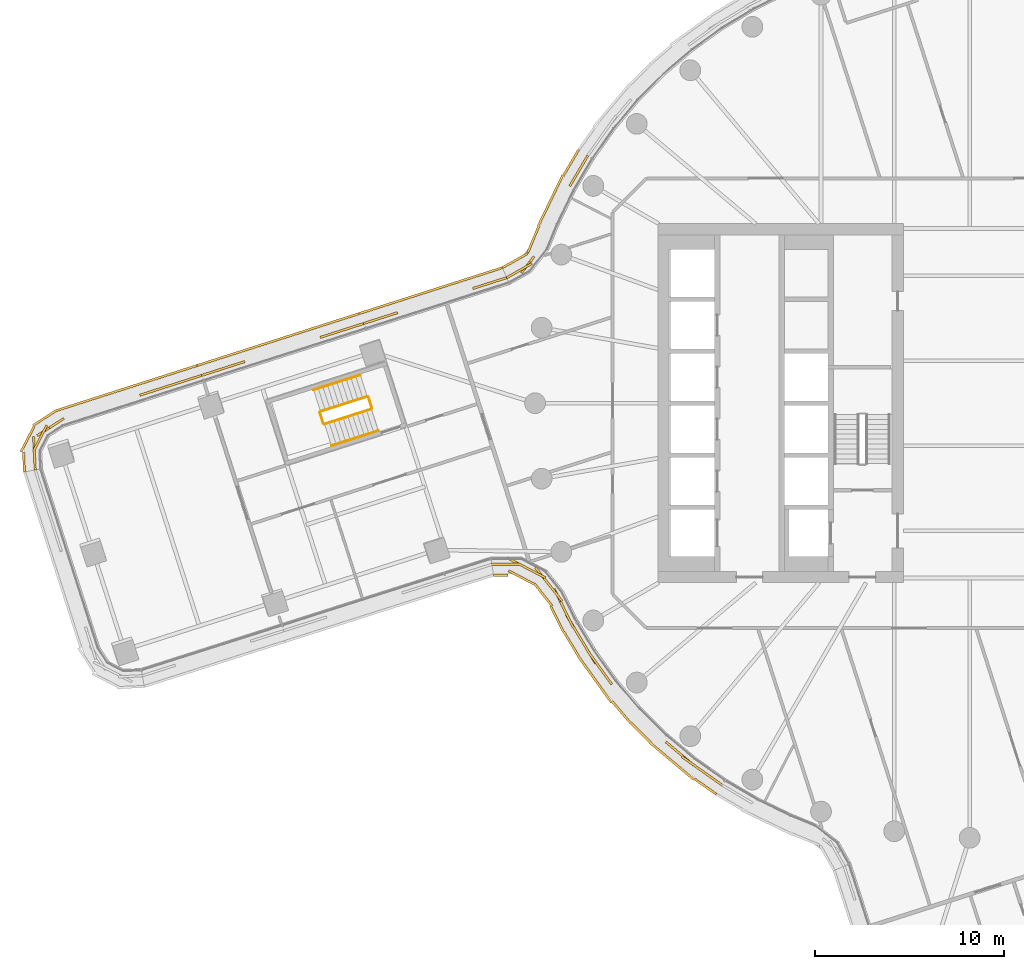
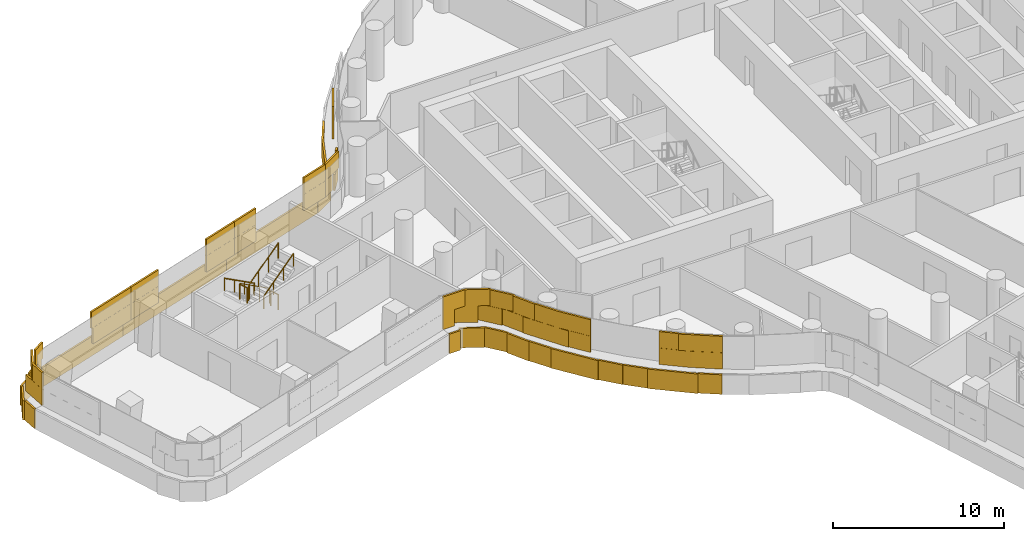
# One storey, part 26 of 30: 6 railings, 5 coverings.
"""IFC4 building model written with IfcOpenShell, lengths in metres."""

from ifc_helpers import new_model, si_unit, direction, frame, origin, origin_2d, place, context, subcontext, project, spatial, rectangle, circle, extrude, material, layer, layer_set, type_object, element, save


model = new_model("IFC4")

# Units and contexts
model_context = context("Model", 3, precision=1e-05, world=origin(), true_north=direction((0.0, 1.0)))
body_context = subcontext(model_context, "Body", "Model", "MODEL_VIEW")
ifc_project = project(units=[si_unit("LENGTHUNIT", "METRE"), si_unit("AREAUNIT", "SQUARE_METRE"), si_unit("VOLUMEUNIT", "CUBIC_METRE"), si_unit("PLANEANGLEUNIT", "RADIAN"), si_unit("MASSUNIT", "GRAM", prefix="KILO")], contexts=[model_context])

# Site, building, storey
site_placement = place(None, origin())
site = spatial("IfcSite", under=ifc_project, at=site_placement, CompositionType="ELEMENT")
building_placement = place(site_placement, origin())
building = spatial("IfcBuilding", under=site, at=building_placement, Name="Tamarind Cross Interchange Tower", CompositionType="ELEMENT")
storey_placement = place(building_placement, frame((0.0, 0.0, 98.5)))
storey = spatial("IfcBuildingStorey", under=building, at=storey_placement, Name="L23", CompositionType="ELEMENT", Elevation=98.5)

# Railings
ifc_material_1 = material(Name="Stair guard")
railing_type_1 = type_object("IfcRailingType", Name="Stair guard", PredefinedType="GUARDRAIL", material=ifc_material_1)
railing_1_placement = place(storey_placement, frame((-31.878662109375, 0.353271484375, 0.17041015625)))
element("IfcRailing", 1, at=railing_1_placement, inside=storey, type_object=railing_type_1, Name="L23 ST5 stair guard 1", PredefinedType="GUARDRAIL", context=body_context, shape_type="SweptSolid", body=[
    extrude(circle(Radius=0.02392578125, at=origin_2d()), frame((0.0, 0.0, 1.076171875), z_axis=(-0.796426546061, -0.255136052864, 0.548279446322), x_axis=(0.305078942459, -0.952327065072, 0.0)), (0.0, 0.0, 1.0), 3.10888671875),
    extrude(circle(Radius=0.02099609375, at=origin_2d()), origin(), (0.0, 0.0, 1.0), 1.052001953125),
    extrude(circle(Radius=0.02099609375, at=origin_2d()), frame((-0.825439453125, -0.264404296875, 0.568115234375)), (0.0, 0.0, 1.0), 1.052001953125),
    extrude(circle(Radius=0.02099609375, at=origin_2d()), frame((-1.650634765625, -0.52880859375, 1.136474609375)), (0.0, 0.0, 1.0), 1.052001953125),
    extrude(circle(Radius=0.02099609375, at=origin_2d()), frame((-2.47607421875, -0.793212890625, 1.70458984375)), (0.0, 0.0, 1.0), 1.052001953125),
])
railing_2_placement = place(storey_placement, frame((-34.386962890625, -0.502685546875, 1.875)))
element("IfcRailing", 2, at=railing_2_placement, inside=storey, type_object=railing_type_1, Name="L23 ST5 stair guard 2", PredefinedType="GUARDRAIL", context=body_context, shape_type="SweptSolid", body=[
    extrude(circle(Radius=0.02392578125, at=origin_2d()), frame((0.0, 0.0, 1.076171875), z_axis=(0.304731439649, -0.95243831805, 0.0), x_axis=(0.95243831805, 0.304731439649, 0.0)), (0.0, 0.0, 1.0), 0.60009765625),
    extrude(circle(Radius=0.02099609375, at=origin_2d()), origin(), (0.0, 0.0, 1.0), 1.052001953125),
    extrude(circle(Radius=0.02099609375, at=origin_2d()), frame((0.182861328125, -0.571533203125, 0.0)), (0.0, 0.0, 1.0), 1.052001953125),
])
railing_3_placement = place(storey_placement, frame((-34.14111328125, -1.1064453125, 2.04541015625)))
element("IfcRailing", 3, at=railing_3_placement, inside=storey, type_object=railing_type_1, Name="L23 ST5 stair guard 3", PredefinedType="GUARDRAIL", context=body_context, shape_type="SweptSolid", body=[
    extrude(circle(Radius=0.02392578125, at=origin_2d()), frame((0.0, 0.0, 1.076171875), z_axis=(0.796426546061, 0.255136052864, 0.548279446322), x_axis=(-0.305078942459, 0.952327065072, 0.0)), (0.0, 0.0, 1.0), 3.10888671875),
    extrude(circle(Radius=0.02099609375, at=origin_2d()), origin(), (0.0, 0.0, 1.0), 1.052001953125),
    extrude(circle(Radius=0.02099609375, at=origin_2d()), frame((0.825439453125, 0.264404296875, 0.568115234375)), (0.0, 0.0, 1.0), 1.052001953125),
    extrude(circle(Radius=0.02099609375, at=origin_2d()), frame((1.650634765625, 0.52880859375, 1.136474609375)), (0.0, 0.0, 1.0), 1.052001953125),
    extrude(circle(Radius=0.02099609375, at=origin_2d()), frame((2.47607421875, 0.793212890625, 1.70458984375)), (0.0, 0.0, 1.0), 1.052001953125),
])
railing_4_placement = place(storey_placement, frame((-31.815673828125, 0.321044921875, 0.0)))
element("IfcRailing", 4, at=railing_4_placement, inside=storey, type_object=railing_type_1, Name="L23 ST5 stair guard 4", PredefinedType="GUARDRAIL", context=body_context, shape_type="SweptSolid", body=[
    extrude(circle(Radius=0.02392578125, at=origin_2d()), frame((0.0, 0.0, 1.076171875), z_axis=(0.304731439649, -0.95243831805, 0.0), x_axis=(0.95243831805, 0.304731439649, 0.0)), (0.0, 0.0, 1.0), 0.60009765625),
    extrude(circle(Radius=0.02099609375, at=origin_2d()), origin(), (0.0, 0.0, 1.0), 1.052001953125),
    extrude(circle(Radius=0.02099609375, at=origin_2d()), frame((0.182861328125, -0.571533203125, 0.0)), (0.0, 0.0, 1.0), 1.052001953125),
])
ifc_material_2 = material(Name="Stair handrail")
railing_type_2 = type_object("IfcRailingType", Name="Stair handrail", PredefinedType="HANDRAIL", material=ifc_material_2)
railing_5_placement = place(storey_placement, frame((-32.24462890625, 1.49609375, 0.17041015625)))
element("IfcRailing", 5, at=railing_5_placement, inside=storey, type_object=railing_type_2, Name="L23 ST5 stair handrail 1", PredefinedType="HANDRAIL", context=body_context, shape_type="SweptSolid", body=[
    extrude(circle(Radius=0.02392578125, at=origin_2d()), frame((0.0, 0.0, 0.8759765625), z_axis=(-0.796426546061, -0.255136052864, 0.548279446322), x_axis=(0.305078942459, -0.952327065072, 0.0)), (0.0, 0.0, 1.0), 3.10888671875),
    extrude(circle(Radius=0.02099609375, at=origin_2d()), origin(), (0.0, 0.0, 1.0), 0.851806640625),
    extrude(circle(Radius=0.02099609375, at=origin_2d()), frame((-0.825439453125, -0.264404296875, 0.568115234375)), (0.0, 0.0, 1.0), 0.851806640625),
    extrude(circle(Radius=0.02099609375, at=origin_2d()), frame((-1.650634765625, -0.52880859375, 1.136474609375)), (0.0, 0.0, 1.0), 0.851806640625),
    extrude(circle(Radius=0.02099609375, at=origin_2d()), frame((-2.47607421875, -0.793212890625, 1.70458984375)), (0.0, 0.0, 1.0), 0.851806640625),
])
railing_6_placement = place(storey_placement, frame((-33.775146484375, -2.249267578125, 2.04541015625)))
element("IfcRailing", 6, at=railing_6_placement, inside=storey, type_object=railing_type_2, Name="L23 ST5 stair handrail 2", PredefinedType="HANDRAIL", context=body_context, shape_type="SweptSolid", body=[
    extrude(circle(Radius=0.02392578125, at=origin_2d()), frame((0.0, 0.0, 0.8759765625), z_axis=(0.796426546061, 0.255136052864, 0.548279446322), x_axis=(-0.305078942459, 0.952327065072, 0.0)), (0.0, 0.0, 1.0), 3.10888671875),
    extrude(circle(Radius=0.02099609375, at=origin_2d()), origin(), (0.0, 0.0, 1.0), 0.851806640625),
    extrude(circle(Radius=0.02099609375, at=origin_2d()), frame((0.825439453125, 0.264404296875, 0.568115234375)), (0.0, 0.0, 1.0), 0.851806640625),
    extrude(circle(Radius=0.02099609375, at=origin_2d()), frame((1.650634765625, 0.52880859375, 1.136474609375)), (0.0, 0.0, 1.0), 0.851806640625),
    extrude(circle(Radius=0.02099609375, at=origin_2d()), frame((2.47607421875, 0.793212890625, 1.70458984375)), (0.0, 0.0, 1.0), 0.851806640625),
])

# Coverings
ifc_material_3 = material(Name="Terracotta", Category="masonry")
ifc_layer = layer(ifc_material_3, 0.1201171875)
ifc_layer_set = layer_set([ifc_layer], Name="Terracotta")
covering_type = type_object("IfcCoveringType", Name="Terracotta baguette screen unit", PredefinedType="MOLDING", material=ifc_layer_set)
covering_1_placement = place(storey_placement, origin())
element("IfcCovering", 7, at=covering_1_placement, inside=storey, type_object=covering_type, Name="SCR-L23-06-01", PredefinedType="MOLDING", context=body_context, shape_type="SweptSolid", body=[
    extrude(rectangle(XDim=1.169189453125, YDim=0.1201171875, at=origin_2d()), frame((-20.5068359375, 12.6015625, 1.404052734375), z_axis=(0.0, 0.0, 1.0), x_axis=(-0.508183308752, -0.861248933065, 0.0)), (0.0, 0.0, 1.0), 1.1669921875),
    extrude(rectangle(XDim=0.716064453125, YDim=0.1201171875, at=origin_2d()), frame((-20.98095703125, 11.798095703125, 1.404052734375), z_axis=(0.0, 0.0, 1.0), x_axis=(-0.508183308752, -0.861248933065, 0.0)), (0.0, 0.0, 1.0), 1.1669921875),
    extrude(rectangle(XDim=1.103759765625, YDim=0.1201171875, at=origin_2d()), frame((-23.38525390625, 7.331298828125, 1.404052734375), z_axis=(0.0, 0.0, 1.0), x_axis=(-0.614716215288, -0.788748359531, 0.0)), (0.0, 0.0, 1.0), 1.1669921875),
    extrude(rectangle(XDim=0.78173828125, YDim=0.1201171875, at=origin_2d()), frame((-24.162841796875, 6.833251953125, 1.404052734375), z_axis=(0.0, 0.0, 1.0), x_axis=(-0.87181616932, -0.489833203154, 0.0)), (0.0, 0.0, 1.0), 1.1669921875),
    extrude(rectangle(XDim=0.419189453125, YDim=0.1201171875, at=origin_2d()), frame((-20.31640625, 12.924560546875, 2.5791015625), z_axis=(0.0, 0.0, 1.0), x_axis=(-0.508183308752, -0.861248933065, 0.0)), (0.0, 0.0, 1.0), 1.1669921875),
    extrude(rectangle(XDim=1.466064453125, YDim=0.1201171875, at=origin_2d()), frame((-20.790283203125, 12.12109375, 2.5791015625), z_axis=(0.0, 0.0, 1.0), x_axis=(-0.508183308752, -0.861248933065, 0.0)), (0.0, 0.0, 1.0), 1.1669921875),
    extrude(rectangle(XDim=0.353759765625, YDim=0.1201171875, at=origin_2d()), frame((-23.15478515625, 7.627197265625, 2.5791015625), z_axis=(0.0, 0.0, 1.0), x_axis=(-0.614716215288, -0.788748359531, 0.0)), (0.0, 0.0, 1.0), 1.1669921875),
    extrude(rectangle(XDim=1.52001953125, YDim=0.1201171875, at=origin_2d()), frame((-23.826416015625, 7.022216796875, 2.5791015625), z_axis=(0.0, 0.0, 1.0), x_axis=(-0.87181616932, -0.489833203154, 0.0)), (0.0, 0.0, 1.0), 1.1669921875),
    extrude(rectangle(XDim=0.03173828125, YDim=0.1201171875, at=origin_2d()), frame((-24.48974609375, 6.649658203125, 2.5791015625), z_axis=(0.0, 0.0, 1.0), x_axis=(-0.87181616932, -0.489833203154, 0.0)), (0.0, 0.0, 1.0), 1.1669921875),
    extrude(rectangle(XDim=0.097900390625, YDim=0.1201171875, at=origin_2d()), frame((-20.71923828125, 13.37109375, 0.00390625), z_axis=(0.0, 0.0, 1.0), x_axis=(-0.508183308752, -0.861248933065, 0.0)), (0.0, 0.0, 1.0), 1.39208984375),
    extrude(rectangle(XDim=1.52001953125, YDim=0.1201171875, at=origin_2d()), frame((-21.120361328125, 12.691650390625, 0.00390625), z_axis=(0.0, 0.0, 1.0), x_axis=(-0.508183308752, -0.861248933065, 0.0)), (0.0, 0.0, 1.0), 1.39208984375),
    extrude(rectangle(XDim=1.52001953125, YDim=0.1201171875, at=origin_2d()), frame((-21.86181640625, 11.388671875, 0.00390625), z_axis=(0.0, 0.0, 1.0), x_axis=(-0.435326231914, -0.900272776334, 0.0)), (0.0, 0.0, 1.0), 1.39208984375),
    extrude(rectangle(XDim=1.52001953125, YDim=0.1201171875, at=origin_2d()), frame((-22.514892578125, 10.0380859375, 0.00390625), z_axis=(0.0, 0.0, 1.0), x_axis=(-0.435326231914, -0.900272776334, 0.0)), (0.0, 0.0, 1.0), 1.39208984375),
    extrude(rectangle(XDim=1.52001953125, YDim=0.1201171875, at=origin_2d()), frame((-23.0986328125, 8.65673828125, 0.00390625), z_axis=(0.0, 0.0, 1.0), x_axis=(-0.380016400355, -0.924979748676, 0.0)), (0.0, 0.0, 1.0), 1.39208984375),
    extrude(rectangle(XDim=1.52001953125, YDim=0.1201171875, at=origin_2d()), frame((-24.072998046875, 7.542236328125, 0.00390625), z_axis=(0.0, 0.0, 1.0), x_axis=(-0.87181616932, -0.489833203154, 0.0)), (0.0, 0.0, 1.0), 1.39208984375),
])
covering_2_placement = place(storey_placement, origin())
element("IfcCovering", 8, at=covering_2_placement, inside=storey, type_object=covering_type, Name="SCR-L23-07-00", PredefinedType="MOLDING", context=body_context, shape_type="SweptSolid", body=[
    extrude(rectangle(XDim=0.760009765625, YDim=0.1201171875, at=origin_2d()), frame((-24.8564453125, 6.52978515625, 1.404052734375), z_axis=(0.0, 0.0, 1.0), x_axis=(-0.95233405785, -0.305057113111, 0.0)), (0.0, 0.0, 1.0), 1.1669921875),
    extrude(rectangle(XDim=1.138427734375, YDim=0.1201171875, at=origin_2d()), frame((-25.750732421875, 6.243408203125, 1.404052734375), z_axis=(0.0, 0.0, 1.0), x_axis=(-0.95233405785, -0.305057113111, 0.0)), (0.0, 0.0, 1.0), 1.1669921875),
    extrude(rectangle(XDim=0.681640625, YDim=0.1201171875, at=origin_2d()), frame((-30.607666015625, 4.6875, 1.404052734375), z_axis=(0.0, 0.0, 1.0), x_axis=(-0.95233405785, -0.305057113111, 0.0)), (0.0, 0.0, 1.0), 1.1669921875),
    extrude(rectangle(XDim=1.216796875, YDim=0.1201171875, at=origin_2d()), frame((-31.502197265625, 4.401123046875, 1.404052734375), z_axis=(0.0, 0.0, 1.0), x_axis=(-0.95233405785, -0.305057113111, 0.0)), (0.0, 0.0, 1.0), 1.1669921875),
    extrude(rectangle(XDim=1.510009765625, YDim=0.1201171875, at=origin_2d()), frame((-25.21337890625, 6.41552734375, 2.5791015625), z_axis=(0.0, 0.0, 1.0), x_axis=(-0.95233405785, -0.305057113111, 0.0)), (0.0, 0.0, 1.0), 1.1669921875),
    extrude(rectangle(XDim=0.388427734375, YDim=0.1201171875, at=origin_2d()), frame((-26.10791015625, 6.12890625, 2.5791015625), z_axis=(0.0, 0.0, 1.0), x_axis=(-0.95233405785, -0.305057113111, 0.0)), (0.0, 0.0, 1.0), 1.1669921875),
    extrude(rectangle(XDim=1.431640625, YDim=0.1201171875, at=origin_2d()), frame((-30.96484375, 4.5732421875, 2.5791015625), z_axis=(0.0, 0.0, 1.0), x_axis=(-0.95233405785, -0.305057113111, 0.0)), (0.0, 0.0, 1.0), 1.1669921875),
    extrude(rectangle(XDim=0.466796875, YDim=0.1201171875, at=origin_2d()), frame((-31.859130859375, 4.28662109375, 2.5791015625), z_axis=(0.0, 0.0, 1.0), x_axis=(-0.95233405785, -0.305057113111, 0.0)), (0.0, 0.0, 1.0), 1.1669921875),
    extrude(rectangle(XDim=0.760009765625, YDim=0.1201171875, at=origin_2d()), frame((-25.091552734375, 7.057373046875, 0.00390625), z_axis=(0.0, 0.0, 1.0), x_axis=(-0.95233405785, -0.305057113111, 0.0)), (0.0, 0.0, 1.0), 1.39208984375),
    extrude(rectangle(XDim=1.52001953125, YDim=0.1201171875, at=origin_2d()), frame((-26.158203125, 6.715576171875, 0.00390625), z_axis=(0.0, 0.0, 1.0), x_axis=(-0.95233405785, -0.305057113111, 0.0)), (0.0, 0.0, 1.0), 1.39208984375),
    extrude(rectangle(XDim=1.52001953125, YDim=0.1201171875, at=origin_2d()), frame((-27.586669921875, 6.258056640625, 0.00390625), z_axis=(0.0, 0.0, 1.0), x_axis=(-0.95233405785, -0.305057113111, 0.0)), (0.0, 0.0, 1.0), 1.39208984375),
    extrude(rectangle(XDim=1.52001953125, YDim=0.1201171875, at=origin_2d()), frame((-29.01513671875, 5.800537109375, 0.00390625), z_axis=(0.0, 0.0, 1.0), x_axis=(-0.95233405785, -0.305057113111, 0.0)), (0.0, 0.0, 1.0), 1.39208984375),
    extrude(rectangle(XDim=1.52001953125, YDim=0.1201171875, at=origin_2d()), frame((-30.443603515625, 5.3427734375, 0.00390625), z_axis=(0.0, 0.0, 1.0), x_axis=(-0.95233405785, -0.305057113111, 0.0)), (0.0, 0.0, 1.0), 1.39208984375),
    extrude(rectangle(XDim=1.222412109375, YDim=0.1201171875, at=origin_2d()), frame((-31.73046875, 4.9306640625, 0.00390625), z_axis=(0.0, 0.0, 1.0), x_axis=(-0.95233405785, -0.305057113111, 0.0)), (0.0, 0.0, 1.0), 1.39208984375),
])
covering_3_placement = place(storey_placement, origin())
element("IfcCovering", 9, at=covering_3_placement, inside=storey, type_object=covering_type, Name="SCR-L23-07-01", PredefinedType="MOLDING", context=body_context, shape_type="SweptSolid", body=[
    extrude(rectangle(XDim=0.30322265625, YDim=0.1201171875, at=origin_2d()), frame((-32.21630859375, 4.17236328125, 1.404052734375), z_axis=(0.0, 0.0, 1.0), x_axis=(-0.95233405785, -0.305057113111, 0.0)), (0.0, 0.0, 1.0), 1.1669921875),
    extrude(rectangle(XDim=1.52001953125, YDim=0.1201171875, at=origin_2d()), frame((-33.0703125, 3.898681640625, 1.404052734375), z_axis=(0.0, 0.0, 1.0), x_axis=(-0.95233405785, -0.305057113111, 0.0)), (0.0, 0.0, 1.0), 1.1669921875),
    extrude(rectangle(XDim=0.6171875, YDim=0.1201171875, at=origin_2d()), frame((-34.07373046875, 3.577392578125, 1.404052734375), z_axis=(0.0, 0.0, 1.0), x_axis=(-0.95233405785, -0.305057113111, 0.0)), (0.0, 0.0, 1.0), 1.1669921875),
    extrude(rectangle(XDim=1.20263671875, YDim=0.1201171875, at=origin_2d()), frame((-38.9306640625, 2.021484375, 1.404052734375), z_axis=(0.0, 0.0, 1.0), x_axis=(-0.95233405785, -0.305057113111, 0.0)), (0.0, 0.0, 1.0), 1.1669921875),
    extrude(rectangle(XDim=1.2177734375, YDim=0.1201171875, at=origin_2d()), frame((-40.073486328125, 1.655517578125, 1.404052734375), z_axis=(0.0, 0.0, 1.0), x_axis=(-0.95233405785, -0.305057113111, 0.0)), (0.0, 0.0, 1.0), 1.1669921875),
    extrude(rectangle(XDim=1.05322265625, YDim=0.1201171875, at=origin_2d()), frame((-32.573486328125, 4.057861328125, 2.5791015625), z_axis=(0.0, 0.0, 1.0), x_axis=(-0.95233405785, -0.305057113111, 0.0)), (0.0, 0.0, 1.0), 1.1669921875),
    extrude(rectangle(XDim=1.3671875, YDim=0.1201171875, at=origin_2d()), frame((-33.716552734375, 3.691650390625, 2.5791015625), z_axis=(0.0, 0.0, 1.0), x_axis=(-0.95233405785, -0.305057113111, 0.0)), (0.0, 0.0, 1.0), 1.1669921875),
    extrude(rectangle(XDim=0.45263671875, YDim=0.1201171875, at=origin_2d()), frame((-38.573486328125, 2.135986328125, 2.5791015625), z_axis=(0.0, 0.0, 1.0), x_axis=(-0.95233405785, -0.305057113111, 0.0)), (0.0, 0.0, 1.0), 1.1669921875),
    extrude(rectangle(XDim=1.52001953125, YDim=0.1201171875, at=origin_2d()), frame((-39.49853515625, 1.839599609375, 2.5791015625), z_axis=(0.0, 0.0, 1.0), x_axis=(-0.95233405785, -0.305057113111, 0.0)), (0.0, 0.0, 1.0), 1.1669921875),
    extrude(rectangle(XDim=0.4677734375, YDim=0.1201171875, at=origin_2d()), frame((-40.4306640625, 1.541015625, 2.5791015625), z_axis=(0.0, 0.0, 1.0), x_axis=(-0.95233405785, -0.305057113111, 0.0)), (0.0, 0.0, 1.0), 1.1669921875),
    extrude(rectangle(XDim=0.297607421875, YDim=0.1201171875, at=origin_2d()), frame((-32.454345703125, 4.69873046875, 0.00390625), z_axis=(0.0, 0.0, 1.0), x_axis=(-0.95233405785, -0.305057113111, 0.0)), (0.0, 0.0, 1.0), 1.39208984375),
    extrude(rectangle(XDim=1.52001953125, YDim=0.1201171875, at=origin_2d()), frame((-33.30078125, 4.427734375, 0.00390625), z_axis=(0.0, 0.0, 1.0), x_axis=(-0.95233405785, -0.305057113111, 0.0)), (0.0, 0.0, 1.0), 1.39208984375),
    extrude(rectangle(XDim=1.52001953125, YDim=0.1201171875, at=origin_2d()), frame((-34.729248046875, 3.97021484375, 0.00390625), z_axis=(0.0, 0.0, 1.0), x_axis=(-0.95233405785, -0.305057113111, 0.0)), (0.0, 0.0, 1.0), 1.39208984375),
    extrude(rectangle(XDim=1.52001953125, YDim=0.1201171875, at=origin_2d()), frame((-36.15771484375, 3.512451171875, 0.00390625), z_axis=(0.0, 0.0, 1.0), x_axis=(-0.95233405785, -0.305057113111, 0.0)), (0.0, 0.0, 1.0), 1.39208984375),
    extrude(rectangle(XDim=1.52001953125, YDim=0.1201171875, at=origin_2d()), frame((-37.586181640625, 3.054931640625, 0.00390625), z_axis=(0.0, 0.0, 1.0), x_axis=(-0.95233405785, -0.305057113111, 0.0)), (0.0, 0.0, 1.0), 1.39208984375),
    extrude(rectangle(XDim=1.52001953125, YDim=0.1201171875, at=origin_2d()), frame((-39.0146484375, 2.597412109375, 0.00390625), z_axis=(0.0, 0.0, 1.0), x_axis=(-0.95233405785, -0.305057113111, 0.0)), (0.0, 0.0, 1.0), 1.39208984375),
    extrude(rectangle(XDim=1.229736328125, YDim=0.1201171875, at=origin_2d()), frame((-40.304931640625, 2.18408203125, 0.00390625), z_axis=(0.0, 0.0, 1.0), x_axis=(-0.95233405785, -0.305057113111, 0.0)), (0.0, 0.0, 1.0), 1.39208984375),
])
covering_4_placement = place(storey_placement, origin())
element("IfcCovering", 10, at=covering_4_placement, inside=storey, type_object=covering_type, Name="SCR-L23-07-02", PredefinedType="MOLDING", context=body_context, shape_type="SweptSolid", body=[
    extrude(rectangle(XDim=0.30224609375, YDim=0.1201171875, at=origin_2d()), frame((-40.787841796875, 1.426513671875, 1.404052734375), z_axis=(0.0, 0.0, 1.0), x_axis=(-0.95233405785, -0.305057113111, 0.0)), (0.0, 0.0, 1.0), 1.1669921875),
    extrude(rectangle(XDim=1.52001953125, YDim=0.1201171875, at=origin_2d()), frame((-41.641357421875, 1.1533203125, 1.404052734375), z_axis=(0.0, 0.0, 1.0), x_axis=(-0.95233405785, -0.305057113111, 0.0)), (0.0, 0.0, 1.0), 1.1669921875),
    extrude(rectangle(XDim=1.52001953125, YDim=0.1201171875, at=origin_2d()), frame((-43.06982421875, 0.69580078125, 1.404052734375), z_axis=(0.0, 0.0, 1.0), x_axis=(-0.95233405785, -0.305057113111, 0.0)), (0.0, 0.0, 1.0), 1.1669921875),
    extrude(rectangle(XDim=1.52001953125, YDim=0.1201171875, at=origin_2d()), frame((-48.704833984375, -1.30224609375, 1.404052734375), z_axis=(0.0, 0.0, 1.0), x_axis=(-0.840929471014, -0.541144735519, 0.0)), (0.0, 0.0, 1.0), 1.1669921875),
    extrude(rectangle(XDim=1.52001953125, YDim=0.1201171875, at=origin_2d()), frame((-49.502197265625, -2.515869140625, 1.404052734375), z_axis=(0.0, 0.0, 1.0), x_axis=(0.048180352576, -0.998838652449, 0.0)), (0.0, 0.0, 1.0), 1.1669921875),
    extrude(rectangle(XDim=0.276611328125, YDim=0.1201171875, at=origin_2d()), frame((-49.459716796875, -3.398193359375, 1.404052734375), z_axis=(0.0, 0.0, 1.0), x_axis=(0.048180352576, -0.998838652449, 0.0)), (0.0, 0.0, 1.0), 1.1669921875),
    extrude(rectangle(XDim=1.05224609375, YDim=0.1201171875, at=origin_2d()), frame((-41.14501953125, 1.312255859375, 2.5791015625), z_axis=(0.0, 0.0, 1.0), x_axis=(-0.95233405785, -0.305057113111, 0.0)), (0.0, 0.0, 1.0), 1.1669921875),
    extrude(rectangle(XDim=1.52001953125, YDim=0.1201171875, at=origin_2d()), frame((-42.35546875, 0.924560546875, 2.5791015625), z_axis=(0.0, 0.0, 1.0), x_axis=(-0.95233405785, -0.305057113111, 0.0)), (0.0, 0.0, 1.0), 1.1669921875),
    extrude(rectangle(XDim=0.897216796875, YDim=0.1201171875, at=origin_2d()), frame((-43.4921875, 0.560302734375, 2.5791015625), z_axis=(0.0, 0.0, 1.0), x_axis=(-0.95233405785, -0.305057113111, 0.0)), (0.0, 0.0, 1.0), 1.1669921875),
    extrude(rectangle(XDim=0.9228515625, YDim=0.1201171875, at=origin_2d()), frame((-48.32080078125, -1.05517578125, 2.5791015625), z_axis=(0.0, 0.0, 1.0), x_axis=(-0.840929471014, -0.541144735519, 0.0)), (0.0, 0.0, 1.0), 1.1669921875),
    extrude(rectangle(XDim=1.52001953125, YDim=0.1201171875, at=origin_2d()), frame((-49.186767578125, -1.843017578125, 2.5791015625), z_axis=(0.0, 0.0, 1.0), x_axis=(-0.45769391693, -0.889109823591, 0.0)), (0.0, 0.0, 1.0), 1.1669921875),
    extrude(rectangle(XDim=1.026611328125, YDim=0.1201171875, at=origin_2d()), frame((-49.477783203125, -3.023681640625, 2.5791015625), z_axis=(0.0, 0.0, 1.0), x_axis=(0.048180352576, -0.998838652449, 0.0)), (0.0, 0.0, 1.0), 1.1669921875),
    extrude(rectangle(XDim=0.290283203125, YDim=0.1201171875, at=origin_2d()), frame((-41.02880859375, 1.9521484375, 0.00390625), z_axis=(0.0, 0.0, 1.0), x_axis=(-0.95233405785, -0.305057113111, 0.0)), (0.0, 0.0, 1.0), 1.39208984375),
    extrude(rectangle(XDim=1.52001953125, YDim=0.1201171875, at=origin_2d()), frame((-41.871826171875, 1.68212890625, 0.00390625), z_axis=(0.0, 0.0, 1.0), x_axis=(-0.95233405785, -0.305057113111, 0.0)), (0.0, 0.0, 1.0), 1.39208984375),
    extrude(rectangle(XDim=1.52001953125, YDim=0.1201171875, at=origin_2d()), frame((-43.30029296875, 1.224609375, 0.00390625), z_axis=(0.0, 0.0, 1.0), x_axis=(-0.95233405785, -0.305057113111, 0.0)), (0.0, 0.0, 1.0), 1.39208984375),
    extrude(rectangle(XDim=1.52001953125, YDim=0.1201171875, at=origin_2d()), frame((-44.728759765625, 0.76708984375, 0.00390625), z_axis=(0.0, 0.0, 1.0), x_axis=(-0.95233405785, -0.305057113111, 0.0)), (0.0, 0.0, 1.0), 1.39208984375),
    extrude(rectangle(XDim=1.52001953125, YDim=0.1201171875, at=origin_2d()), frame((-46.1572265625, 0.309326171875, 0.00390625), z_axis=(0.0, 0.0, 1.0), x_axis=(-0.95233405785, -0.305057113111, 0.0)), (0.0, 0.0, 1.0), 1.39208984375),
    extrude(rectangle(XDim=1.52001953125, YDim=0.1201171875, at=origin_2d()), frame((-47.585693359375, -0.148193359375, 0.00390625), z_axis=(0.0, 0.0, 1.0), x_axis=(-0.95233405785, -0.305057113111, 0.0)), (0.0, 0.0, 1.0), 1.39208984375),
    extrude(rectangle(XDim=1.52001953125, YDim=0.1201171875, at=origin_2d()), frame((-48.937255859375, -0.76904296875, 0.00390625), z_axis=(0.0, 0.0, 1.0), x_axis=(-0.840929471014, -0.541144735519, 0.0)), (0.0, 0.0, 1.0), 1.39208984375),
    extrude(rectangle(XDim=1.52001953125, YDim=0.1201171875, at=origin_2d()), frame((-49.85693359375, -1.89111328125, 0.00390625), z_axis=(0.0, 0.0, 1.0), x_axis=(-0.45769391693, -0.889109823591, 0.0)), (0.0, 0.0, 1.0), 1.39208984375),
    extrude(rectangle(XDim=1.060302734375, YDim=0.1201171875, at=origin_2d()), frame((-50.048583984375, -3.10498046875, 0.00390625), z_axis=(0.0, 0.0, 1.0), x_axis=(0.048180352576, -0.998838652449, 0.0)), (0.0, 0.0, 1.0), 1.39208984375),
])
covering_5_placement = place(storey_placement, origin())
element("IfcCovering", 11, at=covering_5_placement, inside=storey, type_object=covering_type, Name="SCR-L23-10-00", PredefinedType="MOLDING", context=body_context, shape_type="SweptSolid", body=[
    extrude(rectangle(XDim=0.760009765625, YDim=0.1201171875, at=origin_2d()), frame((-24.912841796875, -8.52734375, 1.404052734375), z_axis=(0.0, 0.0, 1.0), x_axis=(0.999999992116, -0.000125567468, 0.0)), (0.0, 0.0, 1.0), 1.1669921875),
    extrude(rectangle(XDim=1.52001953125, YDim=0.1201171875, at=origin_2d()), frame((-23.790771484375, -8.539794921875, 1.404052734375), z_axis=(0.0, 0.0, 1.0), x_axis=(0.886196460063, -0.463309652578, 0.0)), (0.0, 0.0, 1.0), 1.1669921875),
    extrude(rectangle(XDim=1.52001953125, YDim=0.1201171875, at=origin_2d()), frame((-22.50830078125, -9.291259765625, 1.404052734375), z_axis=(0.0, 0.0, 1.0), x_axis=(0.621507178412, -0.783408467648, 0.0)), (0.0, 0.0, 1.0), 1.1669921875),
    extrude(rectangle(XDim=1.52001953125, YDim=0.1201171875, at=origin_2d()), frame((-21.649658203125, -10.51318359375, 1.404052734375), z_axis=(0.0, 0.0, 1.0), x_axis=(0.444031237389, -0.896011305856, 0.0)), (0.0, 0.0, 1.0), 1.1669921875),
    extrude(rectangle(XDim=1.52001953125, YDim=0.1201171875, at=origin_2d()), frame((-20.95947265625, -11.843994140625, 1.404052734375), z_axis=(0.0, 0.0, 1.0), x_axis=(0.515577308909, -0.856843065292, 0.0)), (0.0, 0.0, 1.0), 1.1669921875),
    extrude(rectangle(XDim=1.52001953125, YDim=0.1201171875, at=origin_2d()), frame((-20.18603515625, -13.129150390625, 1.404052734375), z_axis=(0.0, 0.0, 1.0), x_axis=(0.515577308909, -0.856843065292, 0.0)), (0.0, 0.0, 1.0), 1.1669921875),
    extrude(rectangle(XDim=1.400390625, YDim=0.1201171875, at=origin_2d()), frame((-19.351806640625, -14.30859375, 1.404052734375), z_axis=(0.0, 0.0, 1.0), x_axis=(0.584573890505, -0.811340475102, 0.0)), (0.0, 0.0, 1.0), 1.1669921875),
    extrude(rectangle(XDim=0.419677734375, YDim=0.1201171875, at=origin_2d()), frame((-15.9150390625, -18.060791015625, 1.404052734375), z_axis=(0.0, 0.0, 1.0), x_axis=(0.765858396687, -0.643009266048, 0.0)), (0.0, 0.0, 1.0), 1.1669921875),
    extrude(rectangle(XDim=1.52001953125, YDim=0.1201171875, at=origin_2d()), frame((-15.183837890625, -18.674560546875, 1.404052734375), z_axis=(0.0, 0.0, 1.0), x_axis=(0.765858396687, -0.643009266048, 0.0)), (0.0, 0.0, 1.0), 1.1669921875),
    extrude(rectangle(XDim=1.52001953125, YDim=0.1201171875, at=origin_2d()), frame((-13.990478515625, -19.581298828125, 1.404052734375), z_axis=(0.0, 0.0, 1.0), x_axis=(0.816341886298, -0.577568978284, 0.0)), (0.0, 0.0, 1.0), 1.1669921875),
    extrude(rectangle(XDim=0.3505859375, YDim=0.1201171875, at=origin_2d()), frame((-13.239013671875, -20.11279296875, 1.404052734375), z_axis=(0.0, 0.0, 1.0), x_axis=(0.816341886298, -0.577568978284, 0.0)), (0.0, 0.0, 1.0), 1.1669921875),
    extrude(rectangle(XDim=1.510009765625, YDim=0.1201171875, at=origin_2d()), frame((-24.537841796875, -8.527587890625, 2.5791015625), z_axis=(0.0, 0.0, 1.0), x_axis=(0.999999992116, -0.000125567468, 0.0)), (0.0, 0.0, 1.0), 1.1669921875),
    extrude(rectangle(XDim=1.52001953125, YDim=0.1201171875, at=origin_2d()), frame((-23.1259765625, -8.88720703125, 2.5791015625), z_axis=(0.0, 0.0, 1.0), x_axis=(0.886196460063, -0.463309652578, 0.0)), (0.0, 0.0, 1.0), 1.1669921875),
    extrude(rectangle(XDim=1.52001953125, YDim=0.1201171875, at=origin_2d()), frame((-22.0419921875, -9.878662109375, 2.5791015625), z_axis=(0.0, 0.0, 1.0), x_axis=(0.621507178412, -0.783408467648, 0.0)), (0.0, 0.0, 1.0), 1.1669921875),
    extrude(rectangle(XDim=1.52001953125, YDim=0.1201171875, at=origin_2d()), frame((-21.316650390625, -11.18505859375, 2.5791015625), z_axis=(0.0, 0.0, 1.0), x_axis=(0.444031237389, -0.896011305856, 0.0)), (0.0, 0.0, 1.0), 1.1669921875),
    extrude(rectangle(XDim=1.52001953125, YDim=0.1201171875, at=origin_2d()), frame((-20.57275390625, -12.486572265625, 2.5791015625), z_axis=(0.0, 0.0, 1.0), x_axis=(0.515577308909, -0.856843065292, 0.0)), (0.0, 0.0, 1.0), 1.1669921875),
    extrude(rectangle(XDim=1.52001953125, YDim=0.1201171875, at=origin_2d()), frame((-19.75830078125, -13.74462890625, 2.5791015625), z_axis=(0.0, 0.0, 1.0), x_axis=(0.584573890505, -0.811340475102, 0.0)), (0.0, 0.0, 1.0), 1.1669921875),
    extrude(rectangle(XDim=0.650390625, YDim=0.1201171875, at=origin_2d()), frame((-19.132568359375, -14.613037109375, 2.5791015625), z_axis=(0.0, 0.0, 1.0), x_axis=(0.584573890505, -0.811340475102, 0.0)), (0.0, 0.0, 1.0), 1.1669921875),
    extrude(rectangle(XDim=1.169677734375, YDim=0.1201171875, at=origin_2d()), frame((-15.6279296875, -18.3017578125, 2.5791015625), z_axis=(0.0, 0.0, 1.0), x_axis=(0.765858396687, -0.643009266048, 0.0)), (0.0, 0.0, 1.0), 1.1669921875),
    extrude(rectangle(XDim=1.52001953125, YDim=0.1201171875, at=origin_2d()), frame((-14.6025390625, -19.148193359375, 2.5791015625), z_axis=(0.0, 0.0, 1.0), x_axis=(0.816341886298, -0.577568978284, 0.0)), (0.0, 0.0, 1.0), 1.1669921875),
    extrude(rectangle(XDim=1.1005859375, YDim=0.1201171875, at=origin_2d()), frame((-13.545166015625, -19.896240234375, 2.5791015625), z_axis=(0.0, 0.0, 1.0), x_axis=(0.816341886298, -0.577568978284, 0.0)), (0.0, 0.0, 1.0), 1.1669921875),
    extrude(rectangle(XDim=0.760009765625, YDim=0.1201171875, at=origin_2d()), frame((-24.818603515625, -9.1015625, 0.00390625), z_axis=(0.0, 0.0, 1.0), x_axis=(0.999999992116, -0.000125567468, 0.0)), (0.0, 0.0, 1.0), 1.39208984375),
    extrude(rectangle(XDim=1.52001953125, YDim=0.1201171875, at=origin_2d()), frame((-23.727783203125, -9.220458984375, 0.00390625), z_axis=(0.0, 0.0, 1.0), x_axis=(0.886196460063, -0.463309652578, 0.0)), (0.0, 0.0, 1.0), 1.39208984375),
    extrude(rectangle(XDim=1.52001953125, YDim=0.1201171875, at=origin_2d()), frame((-22.57568359375, -10.129638671875, 0.00390625), z_axis=(0.0, 0.0, 1.0), x_axis=(0.621507178412, -0.783408467648, 0.0)), (0.0, 0.0, 1.0), 1.39208984375),
    extrude(rectangle(XDim=1.52001953125, YDim=0.1201171875, at=origin_2d()), frame((-21.837158203125, -11.427734375, 0.00390625), z_axis=(0.0, 0.0, 1.0), x_axis=(0.444031237389, -0.896011305856, 0.0)), (0.0, 0.0, 1.0), 1.39208984375),
    extrude(rectangle(XDim=1.52001953125, YDim=0.1201171875, at=origin_2d()), frame((-21.095947265625, -12.73046875, 0.00390625), z_axis=(0.0, 0.0, 1.0), x_axis=(0.515577308909, -0.856843065292, 0.0)), (0.0, 0.0, 1.0), 1.39208984375),
    extrude(rectangle(XDim=1.52001953125, YDim=0.1201171875, at=origin_2d()), frame((-20.287109375, -13.992431640625, 0.00390625), z_axis=(0.0, 0.0, 1.0), x_axis=(0.584573890505, -0.811340475102, 0.0)), (0.0, 0.0, 1.0), 1.39208984375),
    extrude(rectangle(XDim=1.52001953125, YDim=0.1201171875, at=origin_2d()), frame((-19.410400390625, -15.20947265625, 0.00390625), z_axis=(0.0, 0.0, 1.0), x_axis=(0.584573890505, -0.811340475102, 0.0)), (0.0, 0.0, 1.0), 1.39208984375),
    extrude(rectangle(XDim=1.52001953125, YDim=0.1201171875, at=origin_2d()), frame((-18.4375, -16.351318359375, 0.00390625), z_axis=(0.0, 0.0, 1.0), x_axis=(0.64957723968, -0.760295606781, 0.0)), (0.0, 0.0, 1.0), 1.39208984375),
    extrude(rectangle(XDim=1.52001953125, YDim=0.1201171875, at=origin_2d()), frame((-17.406494140625, -17.439208984375, 0.00390625), z_axis=(0.0, 0.0, 1.0), x_axis=(0.710143317658, -0.704057148523, 0.0)), (0.0, 0.0, 1.0), 1.39208984375),
    extrude(rectangle(XDim=1.52001953125, YDim=0.1201171875, at=origin_2d()), frame((-16.319091796875, -18.470947265625, 0.00390625), z_axis=(0.0, 0.0, 1.0), x_axis=(0.765858396687, -0.643009266048, 0.0)), (0.0, 0.0, 1.0), 1.39208984375),
    extrude(rectangle(XDim=1.52001953125, YDim=0.1201171875, at=origin_2d()), frame((-15.17041015625, -19.435302734375, 0.00390625), z_axis=(0.0, 0.0, 1.0), x_axis=(0.765858396687, -0.643009266048, 0.0)), (0.0, 0.0, 1.0), 1.39208984375),
    extrude(rectangle(XDim=1.422119140625, YDim=0.1201171875, at=origin_2d()), frame((-13.992919921875, -20.28271484375, 0.00390625), z_axis=(0.0, 0.0, 1.0), x_axis=(0.816341886298, -0.577568978284, 0.0)), (0.0, 0.0, 1.0), 1.39208984375),
])

save(model, "model.ifc")
